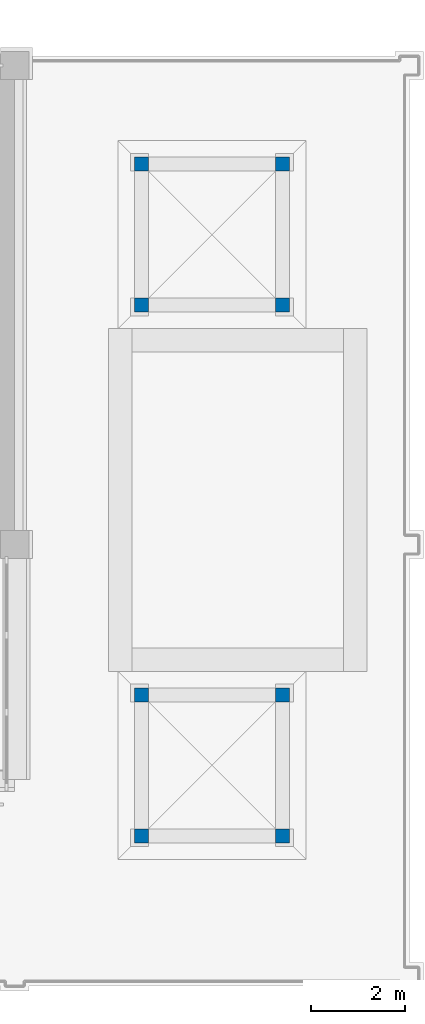
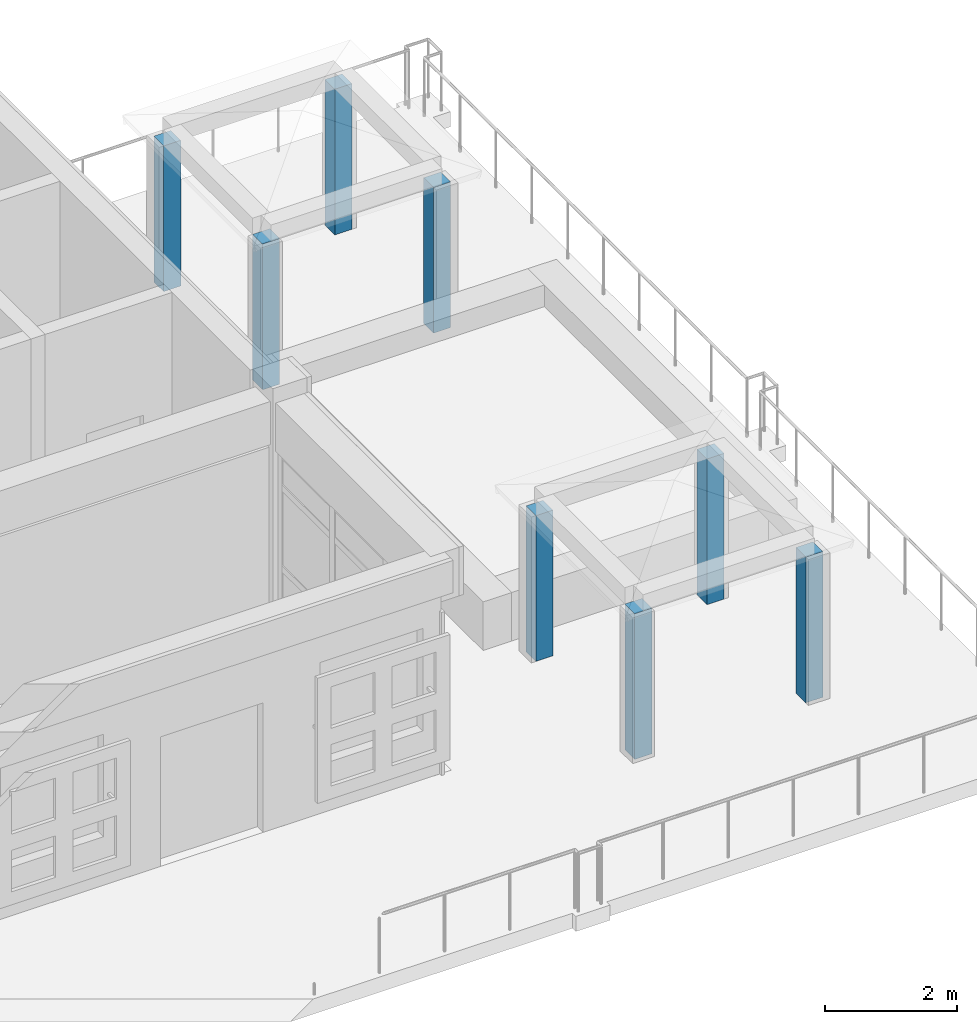
# One storey, part 2 of 71: 8 columns.
"""IFC4 building model written with IfcOpenShell, lengths in metres."""

from ifc_helpers import new_model, si_unit, direction, frame, origin, origin_2d, place, context, subcontext, project, spatial, rectangle, extrude, material, material_profile, profile_set, type_object, element, save


model = new_model("IFC4")

# Units and contexts
model_context = context("Model", 3, precision=1e-05, world=origin(), true_north=direction((0.0, 1.0)))
body_context = subcontext(model_context, "Body", "Model", "MODEL_VIEW")
ifc_project = project(units=[si_unit("LENGTHUNIT", "METRE"), si_unit("AREAUNIT", "SQUARE_METRE"), si_unit("VOLUMEUNIT", "CUBIC_METRE"), si_unit("PLANEANGLEUNIT", "RADIAN"), si_unit("MASSUNIT", "GRAM", prefix="KILO")], contexts=[model_context])

# Site, building, storey
site_placement = place(None, origin())
site = spatial("IfcSite", under=ifc_project, at=site_placement, CompositionType="ELEMENT")
building_placement = place(site_placement, origin())
building = spatial("IfcBuilding", under=site, at=building_placement, Name="Wasatch Bagh Community Centre", CompositionType="ELEMENT")
storey_placement = place(building_placement, frame((0.0, 0.0, 12.60009765625)))
storey = spatial("IfcBuildingStorey", under=building, at=storey_placement, Name="L03", CompositionType="ELEMENT", Elevation=12.60009765625)

# Columns
ifc_material = material(Name="Concrete C35", Category="concrete")
ifc_material_profile = material_profile(ifc_material, rectangle(XDim=0.300048828125, YDim=0.300048828125, at=origin_2d()), Name="RC 300x300")
ifc_profile_set = profile_set([ifc_material_profile], Name="Concrete C35")
column_type = type_object("IfcColumnType", Name="LW pavilion column 300", PredefinedType="COLUMN", material=ifc_profile_set)
for number, where, z_axis, x_axis, name in (
    (1, (133.89990234375, 81.39990234375, 0.0), (0.0, 0.0, 1.0), (1.0, 0.0, 0.0), "Shade pavilion 3 column"),
    (2, (133.89990234375, 84.39990234375, 0.0), (0.0, 0.0, 1.0), (1.0, 0.0, 0.0), "Shade pavilion 3 column"),
    (3, (136.89990234375, 81.39990234375, 0.0), (0.0, 0.0, 1.0), (1.0, 0.0, 0.0), "Shade pavilion 3 column"),
    (4, (136.89990234375, 84.39990234375, 0.0), (0.0, 0.0, 1.0), (1.0, 0.0, 0.0), "Shade pavilion 3 column"),
    (5, (133.89990234375, 92.699951171875, 0.0), (0.0, 0.0, 1.0), (1.0, 0.0, 0.0), "Shade pavilion 4 column"),
    (6, (133.89990234375, 95.699951171875, 0.0), (0.0, 0.0, 1.0), (1.0, 0.0, 0.0), "Shade pavilion 4 column"),
    (7, (136.89990234375, 92.699951171875, 0.0), (0.0, 0.0, 1.0), (1.0, 0.0, 0.0), "Shade pavilion 4 column"),
    (8, (136.89990234375, 95.699951171875, 0.0), (0.0, 0.0, 1.0), (1.0, 0.0, 0.0), "Shade pavilion 4 column"),
):
    element("IfcColumn", number, at=place(storey_placement, frame(where, z_axis=z_axis, x_axis=x_axis)), inside=storey, type_object=column_type, Name=name, PredefinedType="COLUMN", context=body_context, shape_type="SweptSolid", body=[
        extrude(rectangle(XDim=0.300048828125, YDim=0.300048828125, at=origin_2d()), origin(), (0.0, 0.0, 1.0), 2.699951171875),
    ])

save(model, "model.ifc")
